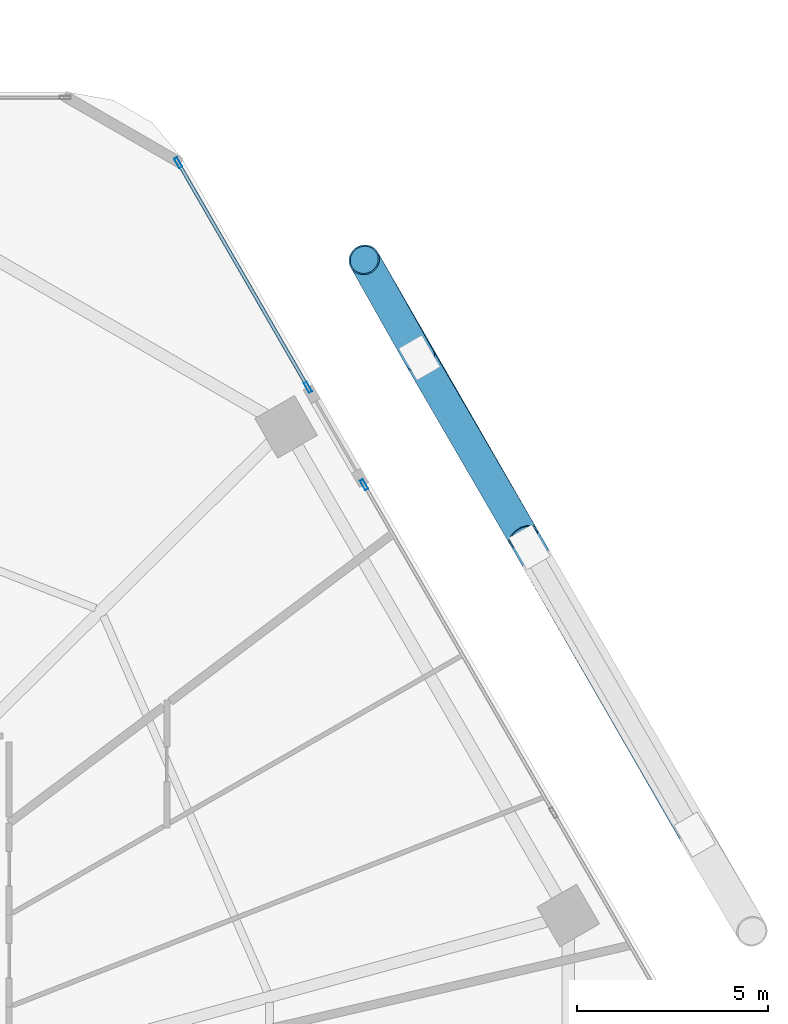
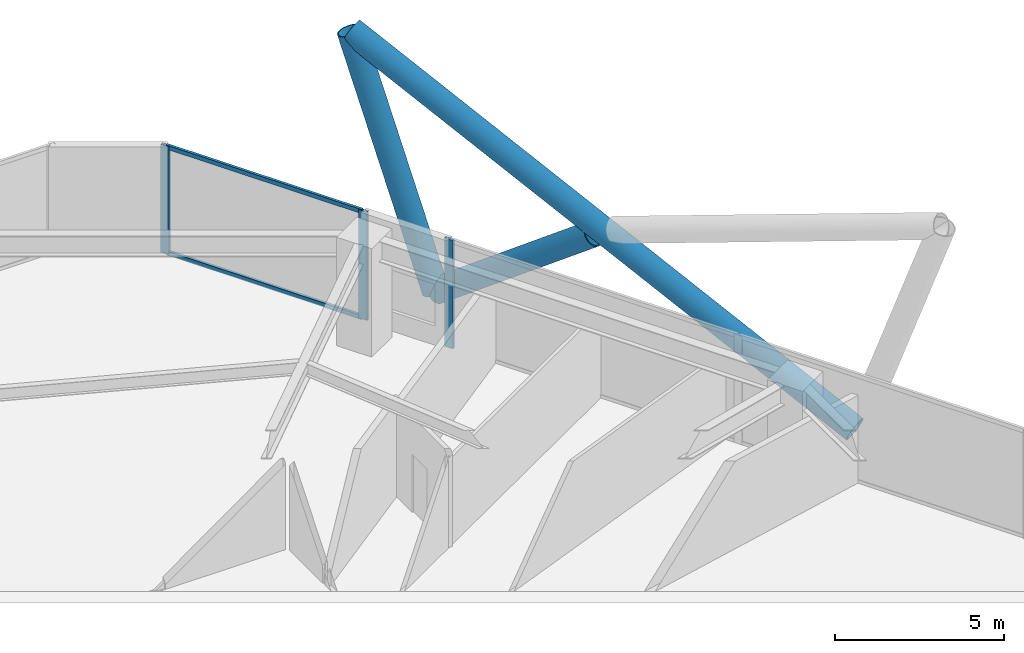
# One storey, part 22 of 28: 8 members, 2 elements without a shape of their own.
"""IFC4 building model written with IfcOpenShell, lengths in metres."""

from ifc_helpers import new_model, si_unit, direction, frame, origin, origin_2d, place, context, subcontext, project, spatial, hollow_rectangle, hollow_circle, extrude, material, material_profile, profile_set, type_object, element, aggregate, save


model = new_model("IFC4")

# Units and contexts
model_context = context("Model", 3, precision=1e-05, world=origin(), true_north=direction((0.0, 1.0)))
body_context = subcontext(model_context, "Body", "Model", "MODEL_VIEW")
ifc_project = project(units=[si_unit("LENGTHUNIT", "METRE"), si_unit("AREAUNIT", "SQUARE_METRE"), si_unit("VOLUMEUNIT", "CUBIC_METRE"), si_unit("PLANEANGLEUNIT", "RADIAN"), si_unit("MASSUNIT", "GRAM", prefix="KILO")], contexts=[model_context])

# Site, building, storey
site_placement = place(None, origin())
site = spatial("IfcSite", under=ifc_project, at=site_placement, CompositionType="ELEMENT")
building_placement = place(site_placement, origin())
building = spatial("IfcBuilding", under=site, at=building_placement, Name="Zuhravey Tower", CompositionType="ELEMENT")
storey_placement = place(building_placement, frame((0.0, 0.0, 49.800048828125)))
storey = spatial("IfcBuildingStorey", under=building, at=storey_placement, Name="L12", CompositionType="ELEMENT", Elevation=49.800048828125)

# Curtain wall, members
ifc_material_1 = material(Name="Thermally broken anodised aluminium", Category="aluminium")
curtain_wall_type = type_object("IfcCurtainWallType", Name="School Low-E Unitised Curtain Wall CW1", PredefinedType="NOTDEFINED", material=ifc_material_1)
curtain_wall_1_placement = place(storey_placement, origin())
curtain_wall_1 = element("IfcCurtainWall", 1, at=curtain_wall_1_placement, inside=storey, type_object=curtain_wall_type, Name="L12 CW1 CW-L12-F1-1", PredefinedType="NOTDEFINED")
ifc_material_2 = material(Name="Anodised aluminium", Category="aluminium")
ifc_material_profile_1 = material_profile(ifc_material_2, hollow_rectangle(XDim=0.090087890625, YDim=0.284912109375, WallThickness=0.0048828125, at=origin_2d()), Name="ALU-RHS-90x285x5")
ifc_profile_set_1 = profile_set([ifc_material_profile_1], Name="Anodised aluminium")
member_type_1 = type_object("IfcMemberType", Name="Curtain-Wall Mullion 90x180", PredefinedType="MULLION", material=ifc_profile_set_1)
member_1_placement = place(storey_placement, frame((53.701416015625, 59.257080078125, 0.0), z_axis=(0.0, 0.0, 1.0), x_axis=(0.866029558973, 0.499992802933, 0.0)))
member_1 = element("IfcMember", 2, at=member_1_placement, type_object=member_type_1, Name="CW1 mullion 1", PredefinedType="MULLION", context=body_context, shape_type="SweptSolid", body=[
    extrude(hollow_rectangle(XDim=0.090087890625, YDim=0.284912109375, WallThickness=0.0048828125, at=origin_2d()), origin(), (0.0, 0.0, 1.0), 3.919921875),
])
member_2_placement = place(storey_placement, frame((57.087890625, 53.3916015625, 0.0), z_axis=(0.0, 0.0, 1.0), x_axis=(0.866029558973, 0.499992802933, 0.0)))
member_2 = element("IfcMember", 3, at=member_2_placement, type_object=member_type_1, Name="CW1 mullion 2", PredefinedType="MULLION", context=body_context, shape_type="SweptSolid", body=[
    extrude(hollow_rectangle(XDim=0.090087890625, YDim=0.284912109375, WallThickness=0.0048828125, at=origin_2d()), origin(), (0.0, 0.0, 1.0), 3.919921875),
])

# Curtain wall, member
curtain_wall_2_placement = place(storey_placement, origin())
curtain_wall_2 = element("IfcCurtainWall", 4, at=curtain_wall_2_placement, inside=storey, type_object=curtain_wall_type, Name="L12 CW1 CW-L12-F1-2", PredefinedType="NOTDEFINED")
member_3_placement = place(storey_placement, frame((58.557861328125, 50.845703125, 0.0), z_axis=(0.0, 0.0, 1.0), x_axis=(0.866025056944, 0.500000600745, 0.0)))
member_3 = element("IfcMember", 5, at=member_3_placement, type_object=member_type_1, Name="CW1 mullion 1", PredefinedType="MULLION", context=body_context, shape_type="SweptSolid", body=[
    extrude(hollow_rectangle(XDim=0.090087890625, YDim=0.284912109375, WallThickness=0.0048828125, at=origin_2d()), origin(), (0.0, 0.0, 1.0), 3.919921875),
])
aggregate(curtain_wall_2, [member_3])

# Member
ifc_material_profile_2 = material_profile(ifc_material_2, hollow_rectangle(XDim=0.090087890625, YDim=0.14990234375, WallThickness=0.0048828125, at=origin_2d()), Name="ALU-RHS-90x150x5")
ifc_profile_set_2 = profile_set([ifc_material_profile_2], Name="Anodised aluminium")
member_type_2 = type_object("IfcMemberType", Name="Curtain-Wall Transom 90x150", PredefinedType="USERDEFINED", material=ifc_profile_set_2)
member_4_placement = place(storey_placement, frame((53.72412109375, 59.218017578125, 0.044921875), z_axis=(0.499970184224, -0.866042617247, 0.0), x_axis=(0.866042617247, 0.499970184224, 0.0)))
member_4 = element("IfcMember", 6, at=member_4_placement, type_object=member_type_2, Name="CW1 transom 1.1", ObjectType="TRANSOM", PredefinedType="USERDEFINED", context=body_context, shape_type="SweptSolid", body=[
    extrude(hollow_rectangle(XDim=0.090087890625, YDim=0.14990234375, WallThickness=0.0048828125, at=origin_2d()), origin(), (0.0, 0.0, 1.0), 6.6826171875),
])

member_5_placement = place(storey_placement, frame((53.72412109375, 59.218017578125, 3.875), z_axis=(0.499970184224, -0.866042617247, 0.0), x_axis=(0.866042617247, 0.499970184224, 0.0)))
member_5 = element("IfcMember", 7, at=member_5_placement, type_object=member_type_2, Name="CW1 transom 1.2", ObjectType="TRANSOM", PredefinedType="USERDEFINED", context=body_context, shape_type="SweptSolid", body=[
    extrude(hollow_rectangle(XDim=0.090087890625, YDim=0.14990234375, WallThickness=0.0048828125, at=origin_2d()), origin(), (0.0, 0.0, 1.0), 6.6826171875),
])

aggregate(curtain_wall_1, [member_1, member_2, member_4, member_5])

# Members
ifc_material_3 = material(Name="Steel SM460", Category="steel")
ifc_material_profile_3 = material_profile(ifc_material_3, hollow_circle(Radius=0.406494140625, WallThickness=0.035888671875, at=origin_2d()), Name="CHS-812.8x36")
ifc_profile_set_3 = profile_set([ifc_material_profile_3], Name="Steel SM460")
member_type_3 = type_object("IfcMemberType", Name="Exoskeleton Zone 1 Diagrid CHS813x36", PredefinedType="BRACE", material=ifc_profile_set_3)
member_6_placement = place(storey_placement, frame((67.173095703125, 41.74365234375, -0.47216796875), z_axis=(-0.448579679804, 0.780085937876, 0.436167628779), x_axis=(-0.866891768768, -0.498496400431, 0.0)))
element("IfcMember", 8, at=member_6_placement, inside=storey, type_object=member_type_3, Name="L12 Face 1 Diagrid Brace 2", PredefinedType="BRACE", context=body_context, shape_type="SweptSolid", body=[
    extrude(hollow_circle(Radius=0.406494140625, WallThickness=0.035888671875, at=origin_2d()), origin(), (0.0, 0.0, 1.0), 19.158203125),
])
member_7_placement = place(storey_placement, frame((59.998291015625, 54.1708984375, -0.47216796875), z_axis=(-0.16240639451, 0.288030084389, 0.943749348879), x_axis=(-0.871071780124, -0.49115573281, 0.0)))
element("IfcMember", 9, at=member_7_placement, inside=storey, type_object=member_type_3, Name="L12 Face 1 Diagrid Brace 4", PredefinedType="BRACE", context=body_context, shape_type="SweptSolid", body=[
    extrude(hollow_circle(Radius=0.406494140625, WallThickness=0.035888671875, at=origin_2d()), origin(), (0.0, 0.0, 1.0), 8.854248046875),
])
member_8_placement = place(storey_placement, frame((60.0224609375, 54.129150390625, -0.464111328125), z_axis=(0.404897066757, -0.697108611354, 0.591690754793), x_axis=(0.86472197136, 0.502250845939, 0.0)))
element("IfcMember", 10, at=member_8_placement, inside=storey, type_object=member_type_3, Name="L12 Face 1 Split Diagrid Brace 3A", PredefinedType="BRACE", context=body_context, shape_type="SweptSolid", body=[
    extrude(hollow_circle(Radius=0.406494140625, WallThickness=0.035888671875, at=origin_2d()), origin(), (0.0, 0.0, 1.0), 6.6513671875),
])

save(model, "model.ifc")
